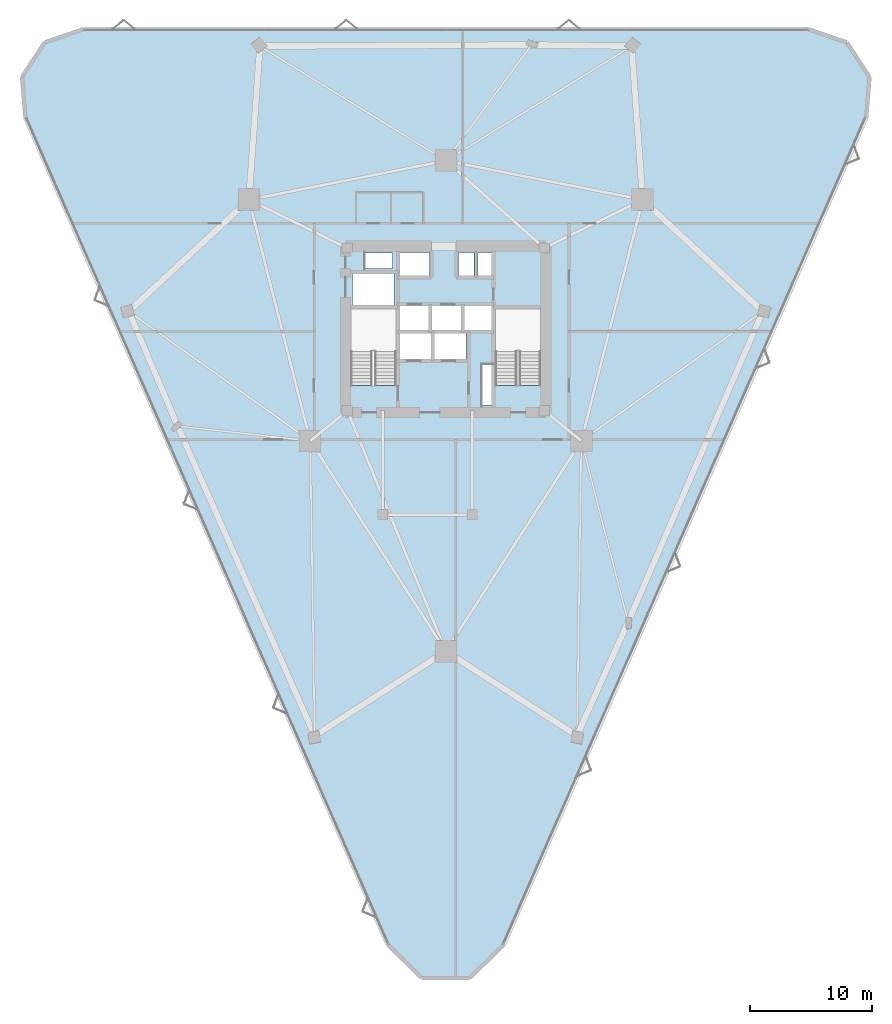
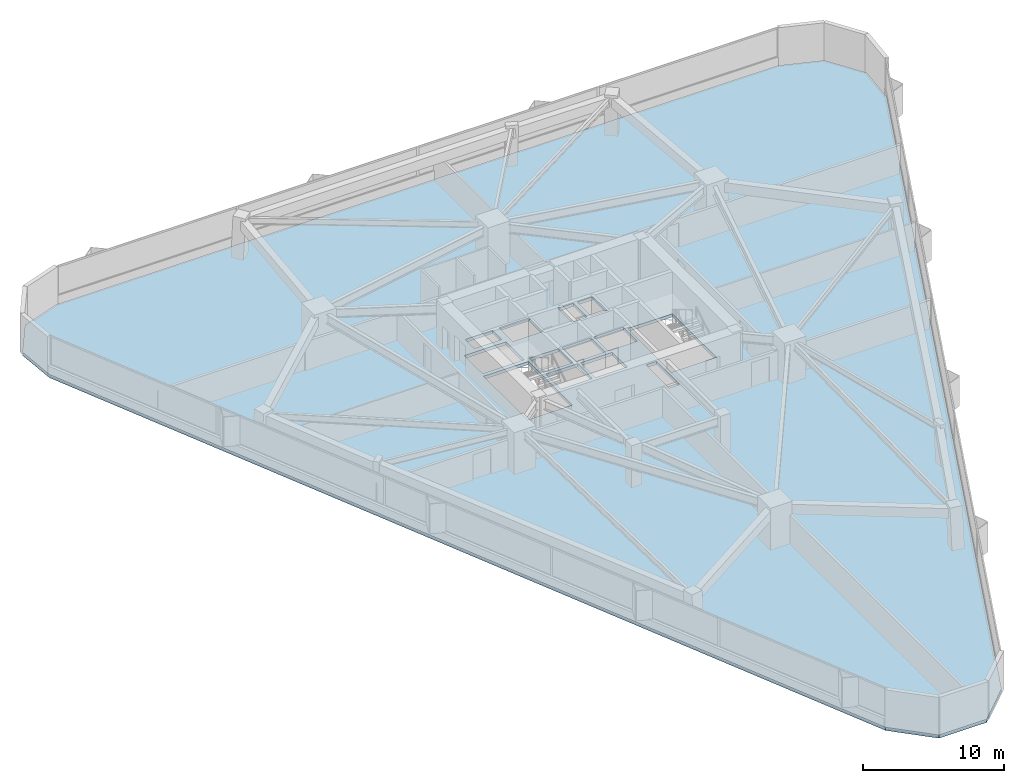
# One storey, part 15 of 20: 1 slab.
"""IFC4 building model written with IfcOpenShell, lengths in metres."""

from ifc_helpers import new_model, si_unit, direction, frame, origin, place, context, subcontext, project, spatial, polyline, outline, extrude, material, layer, layer_set, type_object, element, save


model = new_model("IFC4")

# Units and contexts
model_context = context("Model", 3, precision=1e-05, world=origin(), true_north=direction((0.0, 1.0)))
body_context = subcontext(model_context, "Body", "Model", "MODEL_VIEW")
ifc_project = project(units=[si_unit("LENGTHUNIT", "METRE"), si_unit("AREAUNIT", "SQUARE_METRE"), si_unit("VOLUMEUNIT", "CUBIC_METRE"), si_unit("PLANEANGLEUNIT", "RADIAN"), si_unit("MASSUNIT", "GRAM", prefix="KILO")], contexts=[model_context])

# Site, building, storey
site_placement = place(None, origin())
site = spatial("IfcSite", under=ifc_project, at=site_placement, CompositionType="ELEMENT")
building_placement = place(site_placement, origin())
building = spatial("IfcBuilding", under=site, at=building_placement, Name="Talyreon Biosciences Tower", CompositionType="ELEMENT")
storey_placement = place(building_placement, frame((0.0, 0.0, 30.10009765625)))
storey = spatial("IfcBuildingStorey", under=building, at=storey_placement, Name="L07", CompositionType="ELEMENT", Elevation=30.10009765625)

# Slab
ifc_material = material(Name="Concrete C40/50", Category="concrete")
ifc_layer = layer(ifc_material, 0.27490234375)
ifc_layer_set = layer_set([ifc_layer], Name="Concrete C40/50")
slab_type = type_object("IfcSlabType", Name="WetLabFloorSlab_275", PredefinedType="FLOOR", material=ifc_layer_set)
slab_placement = place(storey_placement, frame((0.0, 0.0, -0.275146484375)))
element("IfcSlab", 1, at=slab_placement, inside=storey, type_object=slab_type, Name="L07 Structural Floor Slab", PredefinedType="FLOOR", context=body_context, shape_type="SweptSolid", body=[
    extrude(outline(polyline([(61.2373046875, 17.689453125), (31.62548828125, 85.267333984375), (31.347900390625, 88.632080078125), (33.195068359375, 91.458251953125), (36.388427734375, 92.55419921875), (95.611572265625, 92.55419921875), (98.804931640625, 91.458251953125), (100.652099609375, 88.632080078125), (100.37451171875, 85.267333984375), (70.7626953125, 17.689453125), (67.95751953125, 14.958984375), (64.04248046875, 14.958984375), (61.2373046875, 17.689453125)]), holes=[polyline([(61.929931640625, 69.64990234375), (61.929931640625, 63.407958984375), (58.25, 63.407958984375), (58.25, 69.64990234375), (61.929931640625, 69.64990234375)]), polyline([(64.800048828125, 65.550048828125), (62.199951171875, 65.550048828125), (62.199951171875, 67.64990234375), (64.800048828125, 67.64990234375), (64.800048828125, 65.550048828125)]), polyline([(64.60009765625, 67.949951171875), (62.199951171875, 67.949951171875), (62.199951171875, 69.949951171875), (64.60009765625, 69.949951171875), (64.60009765625, 67.949951171875)]), polyline([(67.25, 69.949951171875), (67.25, 67.949951171875), (64.85009765625, 67.949951171875), (64.85009765625, 69.949951171875), (67.25, 69.949951171875)]), polyline([(61.75, 69.97998046875), (58.35009765625, 69.97998046875), (58.35009765625, 72.550048828125), (61.75, 72.550048828125), (61.75, 69.97998046875)]), polyline([(64.64990234375, 72.35009765625), (62.199951171875, 72.35009765625), (62.199951171875, 74.300048828125), (64.64990234375, 74.300048828125), (64.64990234375, 72.35009765625)]), polyline([(61.64990234375, 74.25), (61.64990234375, 72.9599609375), (59.39990234375, 72.9599609375), (59.39990234375, 74.25), (61.64990234375, 74.25)]), polyline([(69.820068359375, 61.800048828125), (68.9599609375, 61.800048828125), (68.9599609375, 65.10009765625), (69.820068359375, 65.10009765625), (69.820068359375, 61.800048828125)]), polyline([(73.75, 63.407958984375), (70.070068359375, 63.407958984375), (70.070068359375, 69.64990234375), (73.75, 69.64990234375), (73.75, 63.407958984375)]), polyline([(67.64990234375, 65.550048828125), (65.050048828125, 65.550048828125), (65.050048828125, 67.64990234375), (67.64990234375, 67.64990234375), (67.64990234375, 65.550048828125)]), polyline([(69.89990234375, 67.949951171875), (67.5, 67.949951171875), (67.5, 69.949951171875), (69.89990234375, 69.949951171875), (69.89990234375, 67.949951171875)]), polyline([(68.300048828125, 72.35009765625), (67.050048828125, 72.35009765625), (67.050048828125, 74.300048828125), (68.300048828125, 74.300048828125), (68.300048828125, 72.35009765625)]), polyline([(69.919921875, 72.35009765625), (68.6201171875, 72.35009765625), (68.6201171875, 74.300048828125), (69.919921875, 74.300048828125), (69.919921875, 72.35009765625)])]), origin(), (0.0, 0.0, 1.0), 0.275146484375),
])

save(model, "model.ifc")
